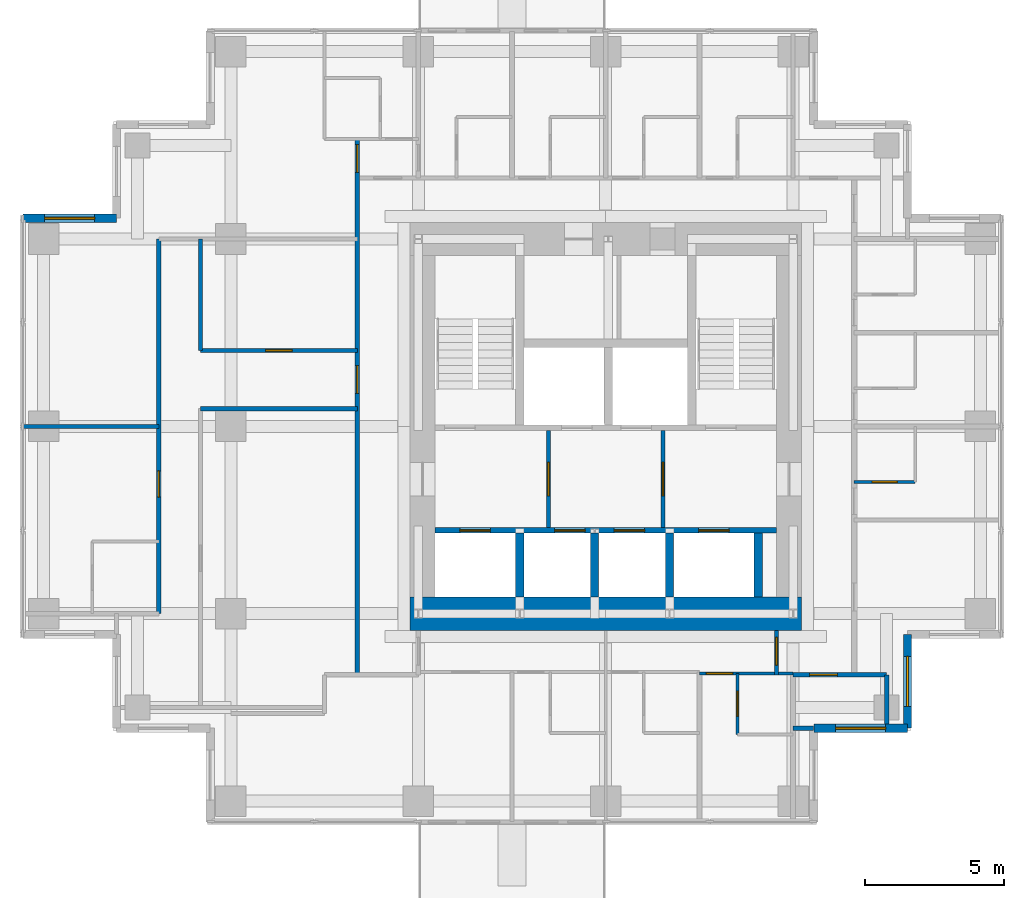
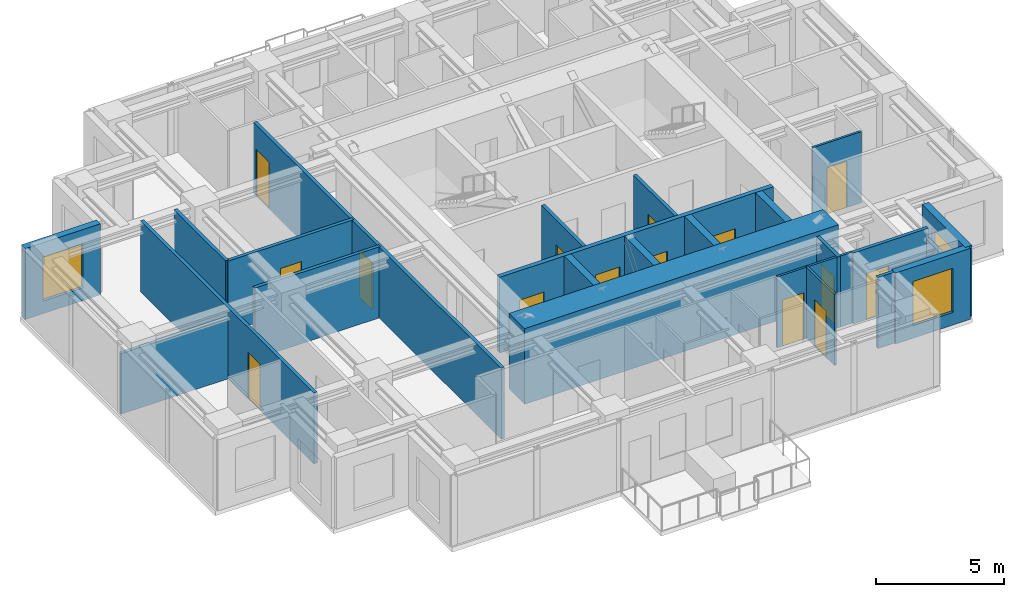
# One storey, part 4 of 8: 24 walls, 15 doors, 3 windows, 18 openings.
"""IFC4 building model written with IfcOpenShell, lengths in metres."""

from ifc_helpers import new_model, si_unit, direction, frame, frame_2d, origin, place, context, subcontext, project, spatial, rectangle, extrude, material, layer, layer_set, type_object, element, fill, save


model = new_model("IFC4")

# Units and contexts
model_context = context("Model", 3, precision=1e-05, world=origin(), true_north=direction((0.0, 1.0)))
body_context = subcontext(model_context, "Body", "Model", "MODEL_VIEW")
ifc_project = project(units=[si_unit("LENGTHUNIT", "METRE"), si_unit("AREAUNIT", "SQUARE_METRE"), si_unit("VOLUMEUNIT", "CUBIC_METRE"), si_unit("PLANEANGLEUNIT", "RADIAN"), si_unit("MASSUNIT", "GRAM", prefix="KILO")], contexts=[model_context])

# Site, building, storey
site_placement = place(None, origin())
site = spatial("IfcSite", under=ifc_project, at=site_placement, CompositionType="ELEMENT")
building_placement = place(site_placement, origin())
building = spatial("IfcBuilding", under=site, at=building_placement, Name="Nyansa Garden Tower", CompositionType="ELEMENT")
storey_placement = place(building_placement, frame((0.0, 0.0, 211.5)))
storey = spatial("IfcBuildingStorey", under=building, at=storey_placement, Name="L57", CompositionType="ELEMENT", Elevation=211.5)

# Wall, openings, doors
ifc_material_1 = material(Name="Concrete C70/85", Category="concrete")
ifc_layer_1 = layer(ifc_material_1, 0.199951171875)
ifc_layer_set_1 = layer_set([ifc_layer_1], Name="Core inner wall CI200")
wall_type_1 = type_object("IfcWallType", Name="Core inner wall CI200", PredefinedType="SHEAR", material=ifc_layer_set_1)
wall_1_placement = place(storey_placement, frame((14.10009765625, 16.5, 0.0), z_axis=(0.0, 0.0, 1.0), x_axis=(1.0, 0.0, 0.0)))
wall_1 = element("IfcWall", 1, at=wall_1_placement, inside=storey, type_object=wall_type_1, Name="Core inner wall L57", PredefinedType="SHEAR", context=body_context, shape_type="SweptSolid", body=[
    extrude(rectangle(XDim=12.2998046875, YDim=0.199951171875, at=frame_2d((6.14990234375, 0.0))), origin(), (0.0, 0.0, 1.0), 3.60009765625),
])
opening_1_placement = place(wall_1_placement, frame((0.89990234375, 0.0, 0.0)))
opening_1 = element("IfcOpeningElement", 2, at=opening_1_placement, cuts=wall_1, Name="Opening LD-F", PredefinedType="OPENING", context=body_context, shape_type="SweptSolid", body=[
    extrude(rectangle(XDim=1.10009765625, YDim=2.199951171875, at=frame_2d((0.550048828125, 1.10009765625))), frame((0.0, 0.10986328125, 0.0), z_axis=(0.0, -1.0, 0.0), x_axis=(1.0, 0.0, 0.0)), (0.0, 0.0, 1.0), 0.219970703125),
])
opening_2_placement = place(wall_1_placement, frame((4.31005859375, 0.0, 0.0)))
opening_2 = element("IfcOpeningElement", 3, at=opening_2_placement, cuts=wall_1, Name="Opening LD-B", PredefinedType="OPENING", context=body_context, shape_type="SweptSolid", body=[
    extrude(rectangle(XDim=1.10009765625, YDim=2.199951171875, at=frame_2d((0.550048828125, 1.10009765625))), frame((0.0, 0.10986328125, 0.0), z_axis=(0.0, -1.0, 0.0), x_axis=(1.0, 0.0, 0.0)), (0.0, 0.0, 1.0), 0.219970703125),
])
opening_3_placement = place(wall_1_placement, frame((6.449951171875, 0.0, 0.0)))
opening_3 = element("IfcOpeningElement", 4, at=opening_3_placement, cuts=wall_1, Name="Opening LD-B", PredefinedType="OPENING", context=body_context, shape_type="SweptSolid", body=[
    extrude(rectangle(XDim=1.10009765625, YDim=2.199951171875, at=frame_2d((0.550048828125, 1.10009765625))), frame((0.0, 0.10986328125, 0.0), z_axis=(0.0, -1.0, 0.0), x_axis=(1.0, 0.0, 0.0)), (0.0, 0.0, 1.0), 0.219970703125),
])
opening_4_placement = place(wall_1_placement, frame((9.5, 0.0, 0.0)))
opening_4 = element("IfcOpeningElement", 5, at=opening_4_placement, cuts=wall_1, Name="Opening LD-F", PredefinedType="OPENING", context=body_context, shape_type="SweptSolid", body=[
    extrude(rectangle(XDim=1.10009765625, YDim=2.199951171875, at=frame_2d((0.550048828125, 1.10009765625))), frame((0.0, 0.10986328125, 0.0), z_axis=(0.0, -1.0, 0.0), x_axis=(1.0, 0.0, 0.0)), (0.0, 0.0, 1.0), 0.219970703125),
])
ifc_material_2 = material(Name="Stainless steel centre-opening landing door of the high-rise lift, E 120", Category="steel")
door_type_1 = type_object("IfcDoorType", Name="Lift landing door LD-B 1100x2200", OperationType="DOUBLE_DOOR_SLIDING", PredefinedType="DOOR", material=ifc_material_2)
door_1_placement = place(opening_2_placement, origin())
door_1 = element("IfcDoor", 6, at=door_1_placement, inside=storey, type_object=door_type_1, Name="Landing door B1", OperationType="DOUBLE_DOOR_SLIDING", OverallHeight=2.199951171875, OverallWidth=1.10009765625, PredefinedType="DOOR", context=body_context, shape_type="SweptSolid", body=[
    extrude(rectangle(XDim=1.10009765625, YDim=2.199951171875, at=frame_2d((0.550048828125, 1.10009765625))), frame((0.0, 0.02490234375, 0.0), z_axis=(0.0, -1.0, 0.0), x_axis=(1.0, 0.0, 0.0)), (0.0, 0.0, 1.0), 0.050048828125),
])
fill(opening_2, door_1)
door_2_placement = place(opening_3_placement, origin())
door_2 = element("IfcDoor", 7, at=door_2_placement, inside=storey, type_object=door_type_1, Name="Landing door B2", OperationType="DOUBLE_DOOR_SLIDING", OverallHeight=2.199951171875, OverallWidth=1.10009765625, PredefinedType="DOOR", context=body_context, shape_type="SweptSolid", body=[
    extrude(rectangle(XDim=1.10009765625, YDim=2.199951171875, at=frame_2d((0.550048828125, 1.10009765625))), frame((0.0, 0.02490234375, 0.0), z_axis=(0.0, -1.0, 0.0), x_axis=(1.0, 0.0, 0.0)), (0.0, 0.0, 1.0), 0.050048828125),
])
fill(opening_3, door_2)
ifc_material_3 = material(Name="Stainless steel centre-opening landing door of the firefighting lift, EN 81-72, E 120", Category="steel")
door_type_2 = type_object("IfcDoorType", Name="Lift landing door LD-F 1100x2200", OperationType="DOUBLE_DOOR_SLIDING", PredefinedType="DOOR", material=ifc_material_3)
door_3_placement = place(opening_1_placement, origin())
door_3 = element("IfcDoor", 8, at=door_3_placement, inside=storey, type_object=door_type_2, Name="Landing door FF1", OperationType="DOUBLE_DOOR_SLIDING", OverallHeight=2.199951171875, OverallWidth=1.10009765625, PredefinedType="DOOR", context=body_context, shape_type="SweptSolid", body=[
    extrude(rectangle(XDim=1.10009765625, YDim=2.199951171875, at=frame_2d((0.550048828125, 1.10009765625))), frame((0.0, 0.02490234375, 0.0), z_axis=(0.0, -1.0, 0.0), x_axis=(1.0, 0.0, 0.0)), (0.0, 0.0, 1.0), 0.050048828125),
])
fill(opening_1, door_3)
door_4_placement = place(opening_4_placement, origin())
door_4 = element("IfcDoor", 9, at=door_4_placement, inside=storey, type_object=door_type_2, Name="Landing door FF2", OperationType="DOUBLE_DOOR_SLIDING", OverallHeight=2.199951171875, OverallWidth=1.10009765625, PredefinedType="DOOR", context=body_context, shape_type="SweptSolid", body=[
    extrude(rectangle(XDim=1.10009765625, YDim=2.199951171875, at=frame_2d((0.550048828125, 1.10009765625))), frame((0.0, 0.02490234375, 0.0), z_axis=(0.0, -1.0, 0.0), x_axis=(1.0, 0.0, 0.0)), (0.0, 0.0, 1.0), 0.050048828125),
])
fill(opening_4, door_4)

# Walls
ifc_material_4 = material(Name="Concrete C70/85", Category="concrete")
ifc_layer_2 = layer(ifc_material_4, 0.300048828125)
ifc_layer_set_2 = layer_set([ifc_layer_2], Name="Core inner wall CI300")
wall_type_2 = type_object("IfcWallType", Name="Core inner wall CI300", PredefinedType="SHEAR", material=ifc_layer_set_2)
for number, where, z_axis, x_axis, name in (
    (10, (17.14990234375, 14.10009765625, 0.0), (0.0, 0.0, 1.0), (0.0, 1.0, 0.0), "Core inner wall L57"),
    (11, (19.85009765625, 14.10009765625, 0.0), (0.0, 0.0, 1.0), (0.0, 1.0, 0.0), "Core inner wall L57"),
    (12, (22.550048828125, 14.10009765625, 0.0), (0.0, 0.0, 1.0), (0.0, 1.0, 0.0), "Core inner wall L57"),
    (13, (25.75, 14.10009765625, 0.0), (0.0, 0.0, 1.0), (0.0, 1.0, 0.0), "Core inner wall L57"),
):
    element("IfcWall", number, at=place(storey_placement, frame(where, z_axis=z_axis, x_axis=x_axis)), inside=storey, type_object=wall_type_2, Name=name, PredefinedType="SHEAR", context=body_context, shape_type="SweptSolid", body=[
        extrude(rectangle(XDim=2.2998046875, YDim=0.300048828125, at=frame_2d((1.14990234375, 0.0))), origin(), (0.0, 0.0, 1.0), 3.60009765625),
    ])
ifc_material_5 = material(Name="Concrete C80/95", Category="concrete")
ifc_layer_3 = layer(ifc_material_5, 1.199951171875)
ifc_layer_set_3 = layer_set([ifc_layer_3], Name="Core wall CW1200")
wall_type_3 = type_object("IfcWallType", Name="Core wall CW1200", PredefinedType="SHEAR", material=ifc_layer_set_3)
wall_2_placement = place(storey_placement, frame((13.199951171875, 13.5, 0.0), z_axis=(0.0, 0.0, 1.0), x_axis=(1.0, 0.0, 0.0)))
element("IfcWall", 14, at=wall_2_placement, inside=storey, type_object=wall_type_3, Name="Core wall S L57", PredefinedType="SHEAR", context=body_context, shape_type="SweptSolid", body=[
    extrude(rectangle(XDim=14.10009765625, YDim=1.199951171875, at=frame_2d((7.050048828125, 0.0))), origin(), (0.0, 0.0, 1.0), 3.60009765625),
])

# Wall, opening, door
ifc_material_6 = material(Name="Blockwork, plastered both sides", Category="masonry")
ifc_layer_4 = layer(ifc_material_6, 0.14990234375)
ifc_layer_set_4 = layer_set([ifc_layer_4], Name="Partition PW150")
wall_type_4 = type_object("IfcWallType", Name="Partition PW150", PredefinedType="PARTITIONING", material=ifc_layer_set_4)
wall_3_placement = place(storey_placement, frame((18.18505859375, 16.60009765625, 0.0), z_axis=(0.0, 0.0, 1.0), x_axis=(0.0, 1.0, 0.0)))
wall_3 = element("IfcWall", 15, at=wall_3_placement, inside=storey, type_object=wall_type_4, Name="Partition", PredefinedType="PARTITIONING", context=body_context, shape_type="SweptSolid", body=[
    extrude(rectangle(XDim=3.5, YDim=0.14990234375, at=frame_2d((1.75, 0.0))), origin(), (0.0, 0.0, 1.0), 3.375),
])
opening_5_placement = place(wall_3_placement, frame((1.14990234375, 0.0, 0.0)))
opening_5 = element("IfcOpeningElement", 16, at=opening_5_placement, cuts=wall_3, Name="Opening D06", PredefinedType="OPENING", context=body_context, shape_type="SweptSolid", body=[
    extrude(rectangle(XDim=1.199951171875, YDim=2.199951171875, at=frame_2d((0.60009765625, 1.10009765625))), frame((0.0, 0.0849609375, 0.0), z_axis=(0.0, -1.0, 0.0), x_axis=(1.0, 0.0, 0.0)), (0.0, 0.0, 1.0), 0.169921875),
])
ifc_material_7 = material(Name="Steel door, 120 minute fire resisting", Category="steel")
door_type_3 = type_object("IfcDoorType", Name="Lobby door D06 1200x2200", OperationType="DOUBLE_DOOR_SINGLE_SWING", PredefinedType="DOOR", material=ifc_material_7)
door_5_placement = place(opening_5_placement, origin())
door_5 = element("IfcDoor", 17, at=door_5_placement, inside=storey, type_object=door_type_3, Name="Passenger lift lobby door", OperationType="DOUBLE_DOOR_SINGLE_SWING", OverallHeight=2.199951171875, OverallWidth=1.199951171875, PredefinedType="DOOR", context=body_context, shape_type="SweptSolid", body=[
    extrude(rectangle(XDim=1.199951171875, YDim=2.199951171875, at=frame_2d((0.60009765625, 1.10009765625))), frame((0.0, 0.02490234375, 0.0), z_axis=(0.0, -1.0, 0.0), x_axis=(1.0, 0.0, 0.0)), (0.0, 0.0, 1.0), 0.050048828125),
])
fill(opening_5, door_5)

wall_4_placement = place(storey_placement, frame((22.31494140625, 16.60009765625, 0.0), z_axis=(0.0, 0.0, 1.0), x_axis=(0.0, 1.0, 0.0)))
wall_4 = element("IfcWall", 18, at=wall_4_placement, inside=storey, type_object=wall_type_4, Name="Partition", PredefinedType="PARTITIONING", context=body_context, shape_type="SweptSolid", body=[
    extrude(rectangle(XDim=3.5, YDim=0.14990234375, at=frame_2d((1.75, 0.0))), origin(), (0.0, 0.0, 1.0), 3.375),
])
opening_6_placement = place(wall_4_placement, frame((1.14990234375, 0.0, 0.0)))
opening_6 = element("IfcOpeningElement", 19, at=opening_6_placement, cuts=wall_4, Name="Opening D06", PredefinedType="OPENING", context=body_context, shape_type="SweptSolid", body=[
    extrude(rectangle(XDim=1.199951171875, YDim=2.199951171875, at=frame_2d((0.60009765625, 1.10009765625))), frame((0.0, 0.0849609375, 0.0), z_axis=(0.0, -1.0, 0.0), x_axis=(1.0, 0.0, 0.0)), (0.0, 0.0, 1.0), 0.169921875),
])
door_6_placement = place(opening_6_placement, origin())
door_6 = element("IfcDoor", 20, at=door_6_placement, inside=storey, type_object=door_type_3, Name="Passenger lift lobby door", OperationType="DOUBLE_DOOR_SINGLE_SWING", OverallHeight=2.199951171875, OverallWidth=1.199951171875, PredefinedType="DOOR", context=body_context, shape_type="SweptSolid", body=[
    extrude(rectangle(XDim=1.199951171875, YDim=2.199951171875, at=frame_2d((0.60009765625, 1.10009765625))), frame((0.0, 0.02490234375, 0.0), z_axis=(0.0, -1.0, 0.0), x_axis=(1.0, 0.0, 0.0)), (0.0, 0.0, 1.0), 0.050048828125),
])
fill(opening_6, door_6)

# Wall
wall_5_placement = place(storey_placement, frame((-0.73388671875, 20.25, 0.0), z_axis=(0.0, 0.0, 1.0), x_axis=(1.0, 0.0, 0.0)))
element("IfcWall", 21, at=wall_5_placement, inside=storey, type_object=wall_type_4, Name="Partition", PredefinedType="PARTITIONING", context=body_context, shape_type="SweptSolid", body=[
    extrude(rectangle(XDim=4.8837890625, YDim=0.14990234375, at=frame_2d((2.44189453125, 0.0))), origin(), (0.0, 0.0, 1.0), 2.876953125),
])

# Wall, opening, door
wall_6_placement = place(storey_placement, frame((4.14990234375, 13.5, 0.0), z_axis=(0.0, 0.0, 1.0), x_axis=(0.0, 1.0, 0.0)))
wall_6 = element("IfcWall", 22, at=wall_6_placement, inside=storey, type_object=wall_type_4, Name="Partition", PredefinedType="PARTITIONING", context=body_context, shape_type="SweptSolid", body=[
    extrude(rectangle(XDim=13.5, YDim=0.14990234375, at=frame_2d((6.75, 0.0))), origin(), (0.0, 0.0, 1.0), 3.375),
])
opening_7_placement = place(wall_6_placement, frame((4.199951171875, 0.0, 0.0)))
opening_7 = element("IfcOpeningElement", 23, at=opening_7_placement, cuts=wall_6, Name="Opening D14", PredefinedType="OPENING", context=body_context, shape_type="SweptSolid", body=[
    extrude(rectangle(XDim=0.949951171875, YDim=2.199951171875, at=frame_2d((0.47509765625, 1.10009765625))), frame((0.0, 0.0849609375, 0.0), z_axis=(0.0, -1.0, 0.0), x_axis=(1.0, 0.0, 0.0)), (0.0, 0.0, 1.0), 0.169921875),
])
ifc_material_8 = material(Name="Timber flush door, 60 minute fire resisting, self-closing", Category="wood")
door_type_4 = type_object("IfcDoorType", Name="Studio entrance door D14 950x2200", OperationType="SINGLE_SWING_LEFT", PredefinedType="DOOR", material=ifc_material_8)
door_7_placement = place(opening_7_placement, origin())
door_7 = element("IfcDoor", 24, at=door_7_placement, inside=storey, type_object=door_type_4, Name="Door L57-047", OperationType="SINGLE_SWING_LEFT", OverallHeight=2.199951171875, OverallWidth=0.949951171875, PredefinedType="DOOR", context=body_context, shape_type="SweptSolid", body=[
    extrude(rectangle(XDim=0.949951171875, YDim=2.199951171875, at=frame_2d((0.47509765625, 1.10009765625))), frame((0.0, 0.02490234375, 0.0), z_axis=(0.0, -1.0, 0.0), x_axis=(1.0, 0.0, 0.0)), (0.0, 0.0, 1.0), 0.050048828125),
])
fill(opening_7, door_7)

# Walls
wall_7_placement = place(storey_placement, frame((5.64990234375, 20.886962890625, 0.0), z_axis=(0.0, 0.0, 1.0), x_axis=(1.0, 0.0, 0.0)))
element("IfcWall", 25, at=wall_7_placement, inside=storey, type_object=wall_type_4, Name="Partition", PredefinedType="PARTITIONING", context=body_context, shape_type="SweptSolid", body=[
    extrude(rectangle(XDim=5.650146484375, YDim=0.14990234375, at=frame_2d((2.8251953125, 0.0))), origin(), (0.0, 0.0, 1.0), 3.375),
])
wall_8_placement = place(storey_placement, frame((5.64990234375, 22.987548828125, 0.0), z_axis=(0.0, 0.0, 1.0), x_axis=(0.0, 1.0, 0.0)))
element("IfcWall", 26, at=wall_8_placement, inside=storey, type_object=wall_type_4, Name="Partition", PredefinedType="PARTITIONING", context=body_context, shape_type="SweptSolid", body=[
    extrude(rectangle(XDim=4.012451171875, YDim=0.14990234375, at=frame_2d((2.00634765625, 0.0))), origin(), (0.0, 0.0, 1.0), 3.375),
])

# Wall, opening, door
wall_9_placement = place(storey_placement, frame((5.64990234375, 22.988037109375, 0.0), z_axis=(0.0, 0.0, 1.0), x_axis=(1.0, 0.0, 0.0)))
wall_9 = element("IfcWall", 27, at=wall_9_placement, inside=storey, type_object=wall_type_4, Name="Partition", PredefinedType="PARTITIONING", context=body_context, shape_type="SweptSolid", body=[
    extrude(rectangle(XDim=5.650146484375, YDim=0.14990234375, at=frame_2d((2.8251953125, 0.0))), origin(), (0.0, 0.0, 1.0), 3.375),
])
opening_8_placement = place(wall_9_placement, frame((2.35009765625, 0.0, 0.0)))
opening_8 = element("IfcOpeningElement", 28, at=opening_8_placement, cuts=wall_9, Name="Opening D01", PredefinedType="OPENING", context=body_context, shape_type="SweptSolid", body=[
    extrude(rectangle(XDim=0.949951171875, YDim=2.199951171875, at=frame_2d((0.47509765625, 1.10009765625))), frame((0.0, 0.0849609375, 0.0), z_axis=(0.0, -1.0, 0.0), x_axis=(1.0, 0.0, 0.0)), (0.0, 0.0, 1.0), 0.169921875),
])
ifc_material_9 = material(Name="Timber flush door, 30 minute fire resisting", Category="wood")
door_type_5 = type_object("IfcDoorType", Name="Bedroom door D01 950x2200", OperationType="SINGLE_SWING_LEFT", PredefinedType="DOOR", material=ifc_material_9)
door_8_placement = place(opening_8_placement, origin())
door_8 = element("IfcDoor", 29, at=door_8_placement, inside=storey, type_object=door_type_5, Name="Door L57-050", OperationType="SINGLE_SWING_LEFT", OverallHeight=2.199951171875, OverallWidth=0.949951171875, PredefinedType="DOOR", context=body_context, shape_type="SweptSolid", body=[
    extrude(rectangle(XDim=0.949951171875, YDim=2.199951171875, at=frame_2d((0.47509765625, 1.10009765625))), frame((0.0, 0.02490234375, 0.0), z_axis=(0.0, -1.0, 0.0), x_axis=(1.0, 0.0, 0.0)), (0.0, 0.0, 1.0), 0.050048828125),
])
fill(opening_8, door_8)

# Wall, openings, doors
wall_10_placement = place(storey_placement, frame((11.300048828125, 11.300048828125, 0.0), z_axis=(0.0, 0.0, 1.0), x_axis=(0.0, 1.0, 0.0)))
wall_10 = element("IfcWall", 30, at=wall_10_placement, inside=storey, type_object=wall_type_4, Name="Partition", PredefinedType="PARTITIONING", context=body_context, shape_type="SweptSolid", body=[
    extrude(rectangle(XDim=19.300048828125, YDim=0.14990234375, at=frame_2d((9.64990234375, 0.0))), origin(), (0.0, 0.0, 1.0), 3.375),
])
opening_9_placement = place(wall_10_placement, frame((18.10009765625, 0.0, 0.0)))
opening_9 = element("IfcOpeningElement", 31, at=opening_9_placement, cuts=wall_10, Name="Opening D03", PredefinedType="OPENING", context=body_context, shape_type="SweptSolid", body=[
    extrude(rectangle(XDim=1.0, YDim=2.199951171875, at=frame_2d((0.5, 1.10009765625))), frame((0.0, 0.0849609375, 0.0), z_axis=(0.0, -1.0, 0.0), x_axis=(1.0, 0.0, 0.0)), (0.0, 0.0, 1.0), 0.169921875),
])
opening_10_placement = place(wall_10_placement, frame((10.137451171875, 0.0, 0.0)))
opening_10 = element("IfcOpeningElement", 32, at=opening_10_placement, cuts=wall_10, Name="Opening D03", PredefinedType="OPENING", context=body_context, shape_type="SweptSolid", body=[
    extrude(rectangle(XDim=1.0, YDim=2.199951171875, at=frame_2d((0.5, 1.10009765625))), frame((0.0, 0.0849609375, 0.0), z_axis=(0.0, -1.0, 0.0), x_axis=(1.0, 0.0, 0.0)), (0.0, 0.0, 1.0), 0.169921875),
])
ifc_material_10 = material(Name="Timber flush door, 60 minute fire resisting", Category="wood")
door_type_6 = type_object("IfcDoorType", Name="Cluster entrance door D03 1000x2200", OperationType="SINGLE_SWING_LEFT", PredefinedType="DOOR", material=ifc_material_10)
door_9_placement = place(opening_9_placement, origin())
door_9 = element("IfcDoor", 33, at=door_9_placement, inside=storey, type_object=door_type_6, Name="Door L57-046", OperationType="SINGLE_SWING_LEFT", OverallHeight=2.199951171875, OverallWidth=1.0, PredefinedType="DOOR", context=body_context, shape_type="SweptSolid", body=[
    extrude(rectangle(XDim=1.0, YDim=2.199951171875, at=frame_2d((0.5, 1.10009765625))), frame((0.0, 0.02490234375, 0.0), z_axis=(0.0, -1.0, 0.0), x_axis=(1.0, 0.0, 0.0)), (0.0, 0.0, 1.0), 0.050048828125),
])
fill(opening_9, door_9)
door_10_placement = place(opening_10_placement, origin())
door_10 = element("IfcDoor", 34, at=door_10_placement, inside=storey, type_object=door_type_6, Name="Door L57-049", OperationType="SINGLE_SWING_LEFT", OverallHeight=2.199951171875, OverallWidth=1.0, PredefinedType="DOOR", context=body_context, shape_type="SweptSolid", body=[
    extrude(rectangle(XDim=1.0, YDim=2.199951171875, at=frame_2d((0.5, 1.10009765625))), frame((0.0, 0.02490234375, 0.0), z_axis=(0.0, -1.0, 0.0), x_axis=(1.0, 0.0, 0.0)), (0.0, 0.0, 1.0), 0.050048828125),
])
fill(opening_10, door_10)

# Wall, opening, door
wall_11_placement = place(storey_placement, frame((26.39990234375, 11.300048828125, 0.0), z_axis=(0.0, 0.0, 1.0), x_axis=(0.0, 1.0, 0.0)))
wall_11 = element("IfcWall", 35, at=wall_11_placement, inside=storey, type_object=wall_type_4, Name="Partition", PredefinedType="PARTITIONING", context=body_context, shape_type="SweptSolid", body=[
    extrude(rectangle(XDim=1.599853515625, YDim=0.14990234375, at=frame_2d((0.7998046875, 0.0))), origin(), (0.0, 0.0, 1.0), 3.375),
])
opening_11_placement = place(wall_11_placement, frame((0.35009765625, 0.0, 0.0)))
opening_11 = element("IfcOpeningElement", 36, at=opening_11_placement, cuts=wall_11, Name="Opening D03", PredefinedType="OPENING", context=body_context, shape_type="SweptSolid", body=[
    extrude(rectangle(XDim=1.0, YDim=2.199951171875, at=frame_2d((0.5, 1.10009765625))), frame((0.0, 0.0849609375, 0.0), z_axis=(0.0, -1.0, 0.0), x_axis=(1.0, 0.0, 0.0)), (0.0, 0.0, 1.0), 0.169921875),
])
door_11_placement = place(opening_11_placement, origin())
door_11 = element("IfcDoor", 37, at=door_11_placement, inside=storey, type_object=door_type_6, Name="Door L57-025", OperationType="SINGLE_SWING_LEFT", OverallHeight=2.199951171875, OverallWidth=1.0, PredefinedType="DOOR", context=body_context, shape_type="SweptSolid", body=[
    extrude(rectangle(XDim=1.0, YDim=2.199951171875, at=frame_2d((0.5, 1.10009765625))), frame((0.0, 0.02490234375, 0.0), z_axis=(0.0, -1.0, 0.0), x_axis=(1.0, 0.0, 0.0)), (0.0, 0.0, 1.0), 0.050048828125),
])
fill(opening_11, door_11)

wall_12_placement = place(storey_placement, frame((27.0, 11.300048828125, 0.0), z_axis=(0.0, 0.0, 1.0), x_axis=(1.0, 0.0, 0.0)))
wall_12 = element("IfcWall", 38, at=wall_12_placement, inside=storey, type_object=wall_type_4, Name="Partition", PredefinedType="PARTITIONING", context=body_context, shape_type="SweptSolid", body=[
    extrude(rectangle(XDim=3.375, YDim=0.14990234375, at=frame_2d((1.6875, 0.0))), origin(), (0.0, 0.0, 1.0), 3.375),
])
opening_12_placement = place(wall_12_placement, frame((0.60009765625, 0.0, 0.0)))
opening_12 = element("IfcOpeningElement", 39, at=opening_12_placement, cuts=wall_12, Name="Opening D03", PredefinedType="OPENING", context=body_context, shape_type="SweptSolid", body=[
    extrude(rectangle(XDim=1.0, YDim=2.199951171875, at=frame_2d((0.5, 1.10009765625))), frame((0.0, 0.0849609375, 0.0), z_axis=(0.0, -1.0, 0.0), x_axis=(1.0, 0.0, 0.0)), (0.0, 0.0, 1.0), 0.169921875),
])
door_12_placement = place(opening_12_placement, origin())
door_12 = element("IfcDoor", 40, at=door_12_placement, inside=storey, type_object=door_type_6, Name="Door L57-024", OperationType="SINGLE_SWING_LEFT", OverallHeight=2.199951171875, OverallWidth=1.0, PredefinedType="DOOR", context=body_context, shape_type="SweptSolid", body=[
    extrude(rectangle(XDim=1.0, YDim=2.199951171875, at=frame_2d((0.5, 1.10009765625))), frame((0.0, 0.02490234375, 0.0), z_axis=(0.0, -1.0, 0.0), x_axis=(1.0, 0.0, 0.0)), (0.0, 0.0, 1.0), 0.050048828125),
])
fill(opening_12, door_12)

# Walls
wall_13_placement = place(storey_placement, frame((27.0, 9.375, 0.0), z_axis=(0.0, 0.0, 1.0), x_axis=(1.0, 0.0, 0.0)))
element("IfcWall", 41, at=wall_13_placement, inside=storey, type_object=wall_type_4, Name="Partition", PredefinedType="PARTITIONING", context=body_context, shape_type="SweptSolid", body=[
    extrude(rectangle(XDim=0.73388671875, YDim=0.14990234375, at=frame_2d((0.366943359375, 0.0))), origin(), (0.0, 0.0, 1.0), 3.375),
])
wall_14_placement = place(storey_placement, frame((30.375, 9.52490234375, 0.0), z_axis=(0.0, 0.0, 1.0), x_axis=(0.0, 1.0, 0.0)))
element("IfcWall", 42, at=wall_14_placement, inside=storey, type_object=wall_type_4, Name="Partition", PredefinedType="PARTITIONING", context=body_context, shape_type="SweptSolid", body=[
    extrude(rectangle(XDim=1.775146484375, YDim=0.14990234375, at=frame_2d((0.8876953125, 0.0))), origin(), (0.0, 0.0, 1.0), 2.876953125),
])

# Wall, opening, window
ifc_material_11 = material(Name="Turquoise glazed tile on concrete blockwork", Category="masonry")
ifc_layer_5 = layer(ifc_material_11, 0.300048828125)
ifc_layer_set_5 = layer_set([ifc_layer_5], Name="Tiled corner wall TW300")
wall_type_5 = type_object("IfcWallType", Name="Tiled corner wall TW300", PredefinedType="SOLIDWALL", material=ifc_layer_set_5)
wall_15_placement = place(storey_placement, frame((2.625, 27.75, 0.0), z_axis=(0.0, 0.0, 1.0), x_axis=(-1.0, 0.0, 0.0)))
wall_15 = element("IfcWall", 43, at=wall_15_placement, inside=storey, type_object=wall_type_5, Name="Tiled corner wall L57", PredefinedType="SOLIDWALL", context=body_context, shape_type="SweptSolid", body=[
    extrude(rectangle(XDim=3.375, YDim=0.300048828125, at=frame_2d((1.6875, 0.0))), origin(), (0.0, 0.0, 1.0), 3.375),
])
opening_13_placement = place(wall_15_placement, frame((0.78759765625, 0.0, 0.60009765625)))
opening_13 = element("IfcOpeningElement", 44, at=opening_13_placement, cuts=wall_15, Name="Opening W2", PredefinedType="OPENING", context=body_context, shape_type="SweptSolid", body=[
    extrude(rectangle(XDim=1.800048828125, YDim=2.10009765625, at=frame_2d((0.89990234375, 1.050048828125))), frame((0.0, 0.159912109375, 0.0), z_axis=(0.0, -1.0, 0.0), x_axis=(1.0, 0.0, 0.0)), (0.0, 0.0, 1.0), 0.320068359375),
])
ifc_material_12 = material(Name="Black aluminium frame, dark tinted double glazing", Category="aluminium")
window_type = type_object("IfcWindowType", Name="Window W2 1800x2100", PartitioningType="SINGLE_PANEL", PredefinedType="WINDOW", material=ifc_material_12)
window_1_placement = place(opening_13_placement, origin())
window_1 = element("IfcWindow", 45, at=window_1_placement, inside=storey, type_object=window_type, Name="Corner window L57", OverallHeight=2.10009765625, OverallWidth=1.800048828125, PartitioningType="SINGLE_PANEL", PredefinedType="WINDOW", context=body_context, shape_type="SweptSolid", body=[
    extrude(rectangle(XDim=1.800048828125, YDim=2.10009765625, at=frame_2d((0.89990234375, 1.050048828125))), frame((0.0, 0.030029296875, 0.0), z_axis=(0.0, -1.0, 0.0), x_axis=(1.0, 0.0, 0.0)), (0.0, 0.0, 1.0), 0.06005859375),
])
fill(opening_13, window_1)

wall_16_placement = place(storey_placement, frame((27.75, 9.375, 0.0), z_axis=(0.0, 0.0, 1.0), x_axis=(1.0, 0.0, 0.0)))
wall_16 = element("IfcWall", 46, at=wall_16_placement, inside=storey, type_object=wall_type_5, Name="Tiled corner wall L57", PredefinedType="SOLIDWALL", context=body_context, shape_type="SweptSolid", body=[
    extrude(rectangle(XDim=3.375, YDim=0.300048828125, at=frame_2d((1.6875, 0.0))), origin(), (0.0, 0.0, 1.0), 3.375),
])
opening_14_placement = place(wall_16_placement, frame((0.78759765625, 0.0, 0.60009765625)))
opening_14 = element("IfcOpeningElement", 47, at=opening_14_placement, cuts=wall_16, Name="Opening W2", PredefinedType="OPENING", context=body_context, shape_type="SweptSolid", body=[
    extrude(rectangle(XDim=1.800048828125, YDim=2.10009765625, at=frame_2d((0.89990234375, 1.050048828125))), frame((0.0, 0.159912109375, 0.0), z_axis=(0.0, -1.0, 0.0), x_axis=(1.0, 0.0, 0.0)), (0.0, 0.0, 1.0), 0.320068359375),
])
window_2_placement = place(opening_14_placement, origin())
window_2 = element("IfcWindow", 48, at=window_2_placement, inside=storey, type_object=window_type, Name="Corner window L57", OverallHeight=2.10009765625, OverallWidth=1.800048828125, PartitioningType="SINGLE_PANEL", PredefinedType="WINDOW", context=body_context, shape_type="SweptSolid", body=[
    extrude(rectangle(XDim=1.800048828125, YDim=2.10009765625, at=frame_2d((0.89990234375, 1.050048828125))), frame((0.0, 0.030029296875, 0.0), z_axis=(0.0, -1.0, 0.0), x_axis=(1.0, 0.0, 0.0)), (0.0, 0.0, 1.0), 0.06005859375),
])
fill(opening_14, window_2)

wall_17_placement = place(storey_placement, frame((31.125, 9.375, 0.0), z_axis=(0.0, 0.0, 1.0), x_axis=(0.0, 1.0, 0.0)))
wall_17 = element("IfcWall", 49, at=wall_17_placement, inside=storey, type_object=wall_type_5, Name="Tiled corner wall L57", PredefinedType="SOLIDWALL", context=body_context, shape_type="SweptSolid", body=[
    extrude(rectangle(XDim=3.375, YDim=0.300048828125, at=frame_2d((1.6875, 0.0))), origin(), (0.0, 0.0, 1.0), 3.375),
])
opening_15_placement = place(wall_17_placement, frame((0.78759765625, 0.0, 0.60009765625)))
opening_15 = element("IfcOpeningElement", 50, at=opening_15_placement, cuts=wall_17, Name="Opening W2", PredefinedType="OPENING", context=body_context, shape_type="SweptSolid", body=[
    extrude(rectangle(XDim=1.800048828125, YDim=2.10009765625, at=frame_2d((0.89990234375, 1.050048828125))), frame((0.0, 0.159912109375, 0.0), z_axis=(0.0, -1.0, 0.0), x_axis=(1.0, 0.0, 0.0)), (0.0, 0.0, 1.0), 0.320068359375),
])
window_3_placement = place(opening_15_placement, origin())
window_3 = element("IfcWindow", 51, at=window_3_placement, inside=storey, type_object=window_type, Name="Corner window L57", OverallHeight=2.10009765625, OverallWidth=1.800048828125, PartitioningType="SINGLE_PANEL", PredefinedType="WINDOW", context=body_context, shape_type="SweptSolid", body=[
    extrude(rectangle(XDim=1.800048828125, YDim=2.10009765625, at=frame_2d((0.89990234375, 1.050048828125))), frame((0.0, 0.030029296875, 0.0), z_axis=(0.0, -1.0, 0.0), x_axis=(1.0, 0.0, 0.0)), (0.0, 0.0, 1.0), 0.06005859375),
])
fill(opening_15, window_3)

# Wall, opening, door
ifc_material_13 = material(Name="Moisture resistant board on steel studs, tiled", Category="steel")
ifc_layer_6 = layer(ifc_material_13, 0.10009765625)
ifc_layer_set_6 = layer_set([ifc_layer_6], Name="Wet wall PW100")
wall_type_6 = type_object("IfcWallType", Name="Wet wall PW100", PredefinedType="PARTITIONING", material=ifc_layer_set_6)
wall_18_placement = place(storey_placement, frame((23.625, 11.35009765625, 0.0), z_axis=(0.0, 0.0, 1.0), x_axis=(1.0, 0.0, 0.0)))
wall_18 = element("IfcWall", 52, at=wall_18_placement, inside=storey, type_object=wall_type_6, Name="Wet wall", PredefinedType="PARTITIONING", context=body_context, shape_type="SweptSolid", body=[
    extrude(rectangle(XDim=3.375, YDim=0.10009765625, at=frame_2d((1.6875, 0.0))), origin(), (0.0, 0.0, 1.0), 3.375),
])
opening_16_placement = place(wall_18_placement, frame((0.25, 0.0, 0.0)))
opening_16 = element("IfcOpeningElement", 53, at=opening_16_placement, cuts=wall_18, Name="Opening D14", PredefinedType="OPENING", context=body_context, shape_type="SweptSolid", body=[
    extrude(rectangle(XDim=0.949951171875, YDim=2.199951171875, at=frame_2d((0.47509765625, 1.10009765625))), frame((0.0, 0.06005859375, 0.0), z_axis=(0.0, -1.0, 0.0), x_axis=(1.0, 0.0, 0.0)), (0.0, 0.0, 1.0), 0.1201171875),
])
door_13_placement = place(opening_16_placement, origin())
door_13 = element("IfcDoor", 54, at=door_13_placement, inside=storey, type_object=door_type_4, Name="Door L57-022", OperationType="SINGLE_SWING_LEFT", OverallHeight=2.199951171875, OverallWidth=0.949951171875, PredefinedType="DOOR", context=body_context, shape_type="SweptSolid", body=[
    extrude(rectangle(XDim=0.949951171875, YDim=2.199951171875, at=frame_2d((0.47509765625, 1.10009765625))), frame((0.0, 0.02490234375, 0.0), z_axis=(0.0, -1.0, 0.0), x_axis=(1.0, 0.0, 0.0)), (0.0, 0.0, 1.0), 0.050048828125),
])
fill(opening_16, door_13)

wall_19_placement = place(storey_placement, frame((25.0, 9.14990234375, 0.0), z_axis=(0.0, 0.0, 1.0), x_axis=(0.0, 1.0, 0.0)))
wall_19 = element("IfcWall", 55, at=wall_19_placement, inside=storey, type_object=wall_type_6, Name="Wet wall", PredefinedType="PARTITIONING", context=body_context, shape_type="SweptSolid", body=[
    extrude(rectangle(XDim=2.2001953125, YDim=0.10009765625, at=frame_2d((1.10009765625, 0.0))), origin(), (0.0, 0.0, 1.0), 3.375),
])
opening_17_placement = place(wall_19_placement, frame((0.64990234375, 0.0, 0.0)))
opening_17 = element("IfcOpeningElement", 56, at=opening_17_placement, cuts=wall_19, Name="Opening D02", PredefinedType="OPENING", context=body_context, shape_type="SweptSolid", body=[
    extrude(rectangle(XDim=0.89990234375, YDim=2.199951171875, at=frame_2d((0.449951171875, 1.10009765625))), frame((0.0, 0.06005859375, 0.0), z_axis=(0.0, -1.0, 0.0), x_axis=(1.0, 0.0, 0.0)), (0.0, 0.0, 1.0), 0.1201171875),
])
ifc_material_14 = material(Name="Timber flush door", Category="wood")
door_type_7 = type_object("IfcDoorType", Name="En-suite door D02 900x2200", OperationType="SINGLE_SWING_RIGHT", PredefinedType="DOOR", material=ifc_material_14)
door_14_placement = place(opening_17_placement, origin())
door_14 = element("IfcDoor", 57, at=door_14_placement, inside=storey, type_object=door_type_7, Name="Door L57-023", OperationType="SINGLE_SWING_RIGHT", OverallHeight=2.199951171875, OverallWidth=0.89990234375, PredefinedType="DOOR", context=body_context, shape_type="SweptSolid", body=[
    extrude(rectangle(XDim=0.89990234375, YDim=2.199951171875, at=frame_2d((0.449951171875, 1.10009765625))), frame((0.0, 0.02490234375, 0.0), z_axis=(0.0, -1.0, 0.0), x_axis=(1.0, 0.0, 0.0)), (0.0, 0.0, 1.0), 0.050048828125),
])
fill(opening_17, door_14)

wall_20_placement = place(storey_placement, frame((29.199951171875, 18.25, 0.0), z_axis=(0.0, 0.0, 1.0), x_axis=(1.0, 0.0, 0.0)))
wall_20 = element("IfcWall", 58, at=wall_20_placement, inside=storey, type_object=wall_type_6, Name="Wet wall", PredefinedType="PARTITIONING", context=body_context, shape_type="SweptSolid", body=[
    extrude(rectangle(XDim=2.199951171875, YDim=0.10009765625, at=frame_2d((1.10009765625, 0.0))), origin(), (0.0, 0.0, 1.0), 3.375),
])
opening_18_placement = place(wall_20_placement, frame((0.64990234375, 0.0, 0.0)))
opening_18 = element("IfcOpeningElement", 59, at=opening_18_placement, cuts=wall_20, Name="Opening D02", PredefinedType="OPENING", context=body_context, shape_type="SweptSolid", body=[
    extrude(rectangle(XDim=0.89990234375, YDim=2.199951171875, at=frame_2d((0.449951171875, 1.10009765625))), frame((0.0, 0.06005859375, 0.0), z_axis=(0.0, -1.0, 0.0), x_axis=(1.0, 0.0, 0.0)), (0.0, 0.0, 1.0), 0.1201171875),
])
door_15_placement = place(opening_18_placement, origin())
door_15 = element("IfcDoor", 60, at=door_15_placement, inside=storey, type_object=door_type_7, Name="Door L57-028", OperationType="SINGLE_SWING_RIGHT", OverallHeight=2.199951171875, OverallWidth=0.89990234375, PredefinedType="DOOR", context=body_context, shape_type="SweptSolid", body=[
    extrude(rectangle(XDim=0.89990234375, YDim=2.199951171875, at=frame_2d((0.449951171875, 1.10009765625))), frame((0.0, 0.02490234375, 0.0), z_axis=(0.0, -1.0, 0.0), x_axis=(1.0, 0.0, 0.0)), (0.0, 0.0, 1.0), 0.050048828125),
])
fill(opening_18, door_15)

save(model, "model.ifc")
